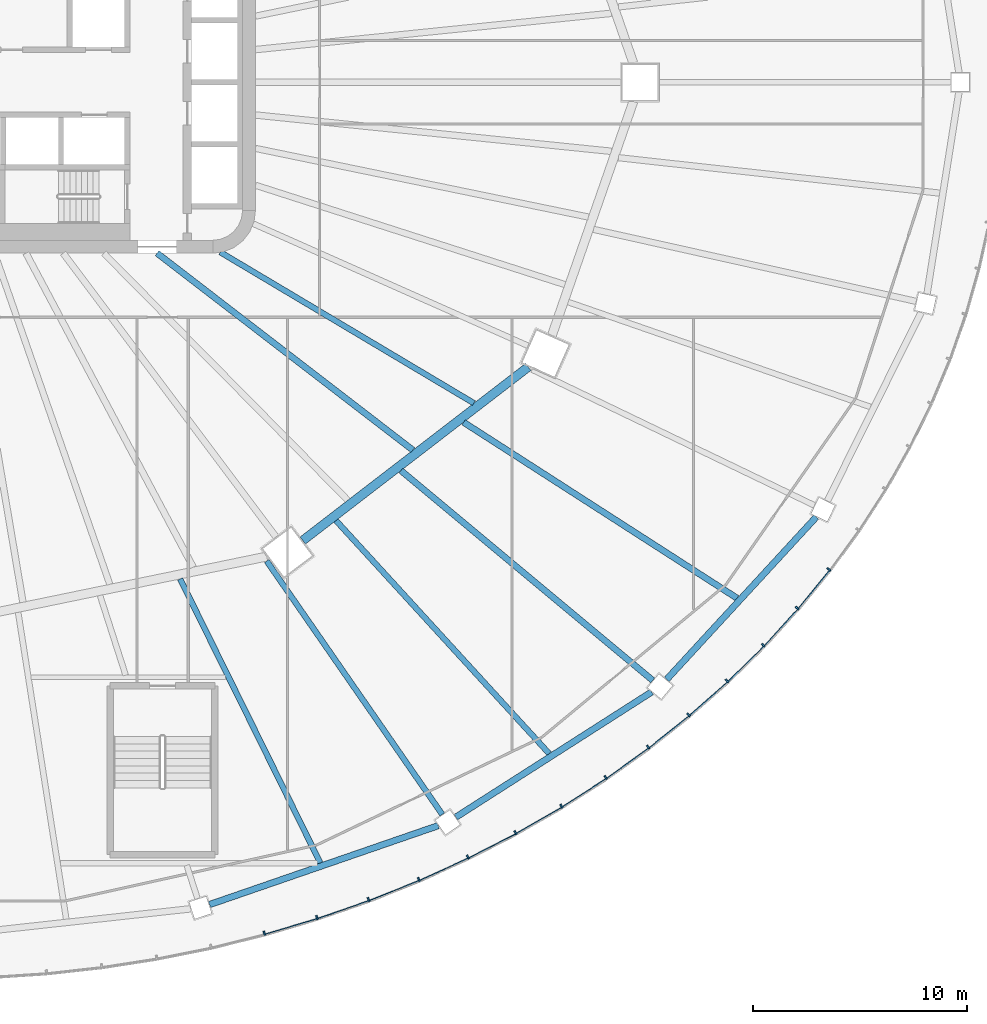
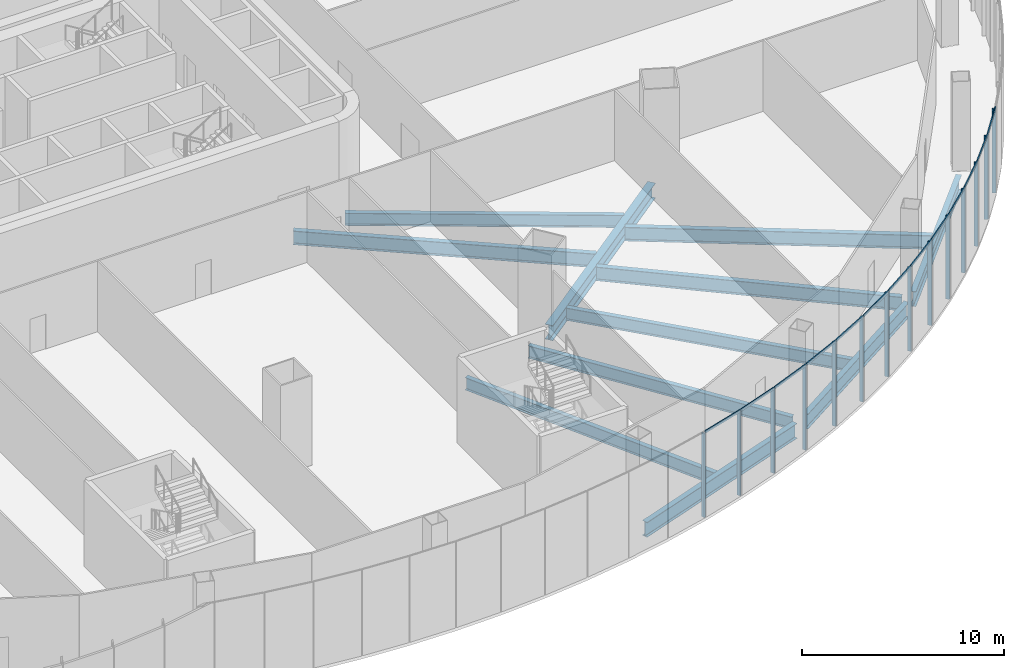
# One storey, part 9 of 42: 27 members, 11 beams, 3 elements without a shape of their own.
"""IFC4 building model written with IfcOpenShell, lengths in metres."""

from ifc_helpers import new_model, si_unit, direction, frame, origin, origin_2d, place, context, subcontext, project, spatial, rectangle, i_section, extrude, material, layer, layer_set, material_profile, profile_set, type_object, element, aggregate, save


model = new_model("IFC4")

# Units and contexts
model_context = context("Model", 3, precision=1e-05, world=origin(), true_north=direction((0.0, 1.0)))
body_context = subcontext(model_context, "Body", "Model", "MODEL_VIEW")
ifc_project = project(units=[si_unit("LENGTHUNIT", "METRE"), si_unit("AREAUNIT", "SQUARE_METRE"), si_unit("VOLUMEUNIT", "CUBIC_METRE"), si_unit("PLANEANGLEUNIT", "RADIAN"), si_unit("MASSUNIT", "GRAM", prefix="KILO")], contexts=[model_context])

# Site, building, storey
site_placement = place(None, origin())
site = spatial("IfcSite", under=ifc_project, at=site_placement, CompositionType="ELEMENT")
building_placement = place(site_placement, origin())
building = spatial("IfcBuilding", under=site, at=building_placement, Name="Sahrelin Media Tower", CompositionType="ELEMENT")
storey_placement = place(building_placement, frame((0.0, 0.0, 26.0)))
storey = spatial("IfcBuildingStorey", under=building, at=storey_placement, Name="L03", CompositionType="ELEMENT", Elevation=26.0)

# Curtain wall, members
ifc_material_1 = material(Name="Champagne anodised aluminium 6063-T6", Category="aluminium")
ifc_layer = layer(ifc_material_1, 0.14990234375)
ifc_layer_set = layer_set([ifc_layer], Name="Podium ribbon curtain wall")
curtain_wall_type = type_object("IfcCurtainWallType", Name="Podium ribbon curtain wall", PredefinedType="NOTDEFINED", material=ifc_layer_set)
curtain_wall_1_placement = place(storey_placement, frame((12.94091796875, -40.56884765625, 0.0), z_axis=(0.0, 0.0, 1.0), x_axis=(1.0, 0.0, 0.0)))
curtain_wall_1 = element("IfcCurtainWall", 1, at=curtain_wall_1_placement, inside=storey, type_object=curtain_wall_type, Name="L03:CW:L03-P19", PredefinedType="NOTDEFINED")
ifc_material_profile_1 = material_profile(ifc_material_1, rectangle(XDim=0.080078125, YDim=0.199951171875, at=origin_2d()), Name="Mullion 80x200")
ifc_profile_set_1 = profile_set([ifc_material_profile_1], Name="Champagne anodised aluminium 6063-T6")
member_type_1 = type_object("IfcMemberType", Name="Mullion 80x200 CW5", PredefinedType="MULLION", material=ifc_profile_set_1)
member_1_placement = place(storey_placement, frame((15.41650390625, -39.829345703125, 0.0), z_axis=(0.0, 0.0, 1.0), x_axis=(0.958494922328, 0.285109599754, 0.0)))
member_1 = element("IfcMember", 2, at=member_1_placement, type_object=member_type_1, Name="L03:CWM2:L03-P19", PredefinedType="MULLION", context=body_context, shape_type="SweptSolid", body=[
    extrude(rectangle(XDim=0.080078125, YDim=0.199951171875, at=origin_2d()), origin(), (0.0, 0.0, 1.0), 5.050048828125),
])
member_2_placement = place(storey_placement, frame((17.87890625, -39.09716796875, 0.0), z_axis=(0.0, 0.0, 1.0), x_axis=(0.944458420046, 0.328630937077, 0.0)))
member_2 = element("IfcMember", 3, at=member_2_placement, type_object=member_type_1, Name="L03:CWM3:L03-P19", PredefinedType="MULLION", context=body_context, shape_type="SweptSolid", body=[
    extrude(rectangle(XDim=0.080078125, YDim=0.199951171875, at=origin_2d()), origin(), (0.0, 0.0, 1.0), 5.050048828125),
])
member_3_placement = place(storey_placement, frame((20.292236328125, -38.257568359375, 0.0), z_axis=(0.0, 0.0, 1.0), x_axis=(0.928270482181, 0.371905783648, 0.0)))
member_3 = element("IfcMember", 4, at=member_3_placement, type_object=member_type_1, Name="L03:CWM4:L03-P19", PredefinedType="MULLION", context=body_context, shape_type="SweptSolid", body=[
    extrude(rectangle(XDim=0.080078125, YDim=0.199951171875, at=origin_2d()), origin(), (0.0, 0.0, 1.0), 5.050048828125),
])
member_4_placement = place(storey_placement, frame((22.649658203125, -37.31298828125, 0.0), z_axis=(0.0, 0.0, 1.0), x_axis=(0.909841810065, 0.414955275491, 0.0)))
member_4 = element("IfcMember", 5, at=member_4_placement, type_object=member_type_1, Name="L03:CWM5:L03-P19", PredefinedType="MULLION", context=body_context, shape_type="SweptSolid", body=[
    extrude(rectangle(XDim=0.080078125, YDim=0.199951171875, at=origin_2d()), origin(), (0.0, 0.0, 1.0), 5.050048828125),
])

curtain_wall_2_placement = place(storey_placement, frame((25.0, -36.373046875, 0.0), z_axis=(0.0, 0.0, 1.0), x_axis=(1.0, 0.0, 0.0)))
curtain_wall_2 = element("IfcCurtainWall", 6, at=curtain_wall_2_placement, inside=storey, type_object=curtain_wall_type, Name="L03:CW:L03-P20", PredefinedType="NOTDEFINED")
member_5_placement = place(storey_placement, frame((24.945068359375, -36.266357421875, 0.0), z_axis=(0.0, 0.0, 1.0), x_axis=(0.889123403251, 0.457667536309, 0.0)))
member_5 = element("IfcMember", 7, at=member_5_placement, type_object=member_type_1, Name="L03:CWM1:L03-P20", PredefinedType="MULLION", context=body_context, shape_type="SweptSolid", body=[
    extrude(rectangle(XDim=0.080078125, YDim=0.199951171875, at=origin_2d()), origin(), (0.0, 0.0, 1.0), 5.050048828125),
])
member_6_placement = place(storey_placement, frame((27.172119140625, -35.120361328125, 0.0), z_axis=(0.0, 0.0, 1.0), x_axis=(0.866028894422, 0.49999395399, 0.0)))
member_6 = element("IfcMember", 8, at=member_6_placement, type_object=member_type_1, Name="L03:CWM2:L03-P20", PredefinedType="MULLION", context=body_context, shape_type="SweptSolid", body=[
    extrude(rectangle(XDim=0.080078125, YDim=0.199951171875, at=origin_2d()), origin(), (0.0, 0.0, 1.0), 5.050048828125),
])
member_7_placement = place(storey_placement, frame((29.32421875, -33.877685546875, 0.0), z_axis=(0.0, 0.0, 1.0), x_axis=(0.840519327336, 0.541781561494, 0.0)))
member_7 = element("IfcMember", 9, at=member_7_placement, type_object=member_type_1, Name="L03:CWM3:L03-P20", PredefinedType="MULLION", context=body_context, shape_type="SweptSolid", body=[
    extrude(rectangle(XDim=0.080078125, YDim=0.199951171875, at=origin_2d()), origin(), (0.0, 0.0, 1.0), 5.050048828125),
])
member_8_placement = place(storey_placement, frame((31.39599609375, -32.54248046875, 0.0), z_axis=(0.0, 0.0, 1.0), x_axis=(0.812532432251, 0.582915985834, 0.0)))
member_8 = element("IfcMember", 10, at=member_8_placement, type_object=member_type_1, Name="L03:CWM4:L03-P20", PredefinedType="MULLION", context=body_context, shape_type="SweptSolid", body=[
    extrude(rectangle(XDim=0.080078125, YDim=0.199951171875, at=origin_2d()), origin(), (0.0, 0.0, 1.0), 5.050048828125),
])
member_9_placement = place(storey_placement, frame((33.381591796875, -31.118408203125, 0.0), z_axis=(0.0, 0.0, 1.0), x_axis=(0.781960183728, 0.623328381405, 0.0)))
member_9 = element("IfcMember", 11, at=member_9_placement, type_object=member_type_1, Name="L03:CWM5:L03-P20", PredefinedType="MULLION", context=body_context, shape_type="SweptSolid", body=[
    extrude(rectangle(XDim=0.080078125, YDim=0.199951171875, at=origin_2d()), origin(), (0.0, 0.0, 1.0), 5.050048828125),
])

curtain_wall_3_placement = place(storey_placement, frame((35.355224609375, -29.698486328125, 0.0), z_axis=(0.0, 0.0, 1.0), x_axis=(1.0, 0.0, 0.0)))
curtain_wall_3 = element("IfcCurtainWall", 12, at=curtain_wall_3_placement, inside=storey, type_object=curtain_wall_type, Name="L03:CW:L03-P21", PredefinedType="NOTDEFINED")
member_10_placement = place(storey_placement, frame((35.27587890625, -29.608642578125, 0.0), z_axis=(0.0, 0.0, 1.0), x_axis=(0.748788005735, 0.662809567272, 0.0)))
member_10 = element("IfcMember", 13, at=member_10_placement, type_object=member_type_1, Name="L03:CWM1:L03-P21", PredefinedType="MULLION", context=body_context, shape_type="SweptSolid", body=[
    extrude(rectangle(XDim=0.080078125, YDim=0.199951171875, at=origin_2d()), origin(), (0.0, 0.0, 1.0), 5.050048828125),
])
member_11_placement = place(storey_placement, frame((37.072998046875, -28.017822265625, 0.0), z_axis=(0.0, 0.0, 1.0), x_axis=(0.712973923933, 0.70119054742, 0.0)))
member_11 = element("IfcMember", 14, at=member_11_placement, type_object=member_type_1, Name="L03:CWM2:L03-P21", PredefinedType="MULLION", context=body_context, shape_type="SweptSolid", body=[
    extrude(rectangle(XDim=0.080078125, YDim=0.199951171875, at=origin_2d()), origin(), (0.0, 0.0, 1.0), 5.050048828125),
])
member_12_placement = place(storey_placement, frame((38.768798828125, -26.3505859375, 0.0), z_axis=(0.0, 0.0, 1.0), x_axis=(0.67442997344, 0.738338818514, 0.0)))
member_12 = element("IfcMember", 15, at=member_12_placement, type_object=member_type_1, Name="L03:CWM3:L03-P21", PredefinedType="MULLION", context=body_context, shape_type="SweptSolid", body=[
    extrude(rectangle(XDim=0.080078125, YDim=0.199951171875, at=origin_2d()), origin(), (0.0, 0.0, 1.0), 5.050048828125),
])
member_13_placement = place(storey_placement, frame((40.35791015625, -24.611083984375, 0.0), z_axis=(0.0, 0.0, 1.0), x_axis=(0.633234995933, 0.77395958546, 0.0)))
member_13 = element("IfcMember", 16, at=member_13_placement, type_object=member_type_1, Name="L03:CWM4:L03-P21", PredefinedType="MULLION", context=body_context, shape_type="SweptSolid", body=[
    extrude(rectangle(XDim=0.080078125, YDim=0.199951171875, at=origin_2d()), origin(), (0.0, 0.0, 1.0), 5.050048828125),
])
member_14_placement = place(storey_placement, frame((41.836669921875, -22.80419921875, 0.0), z_axis=(0.0, 0.0, 1.0), x_axis=(0.589385309161, 0.807852064022, 0.0)))
member_14 = element("IfcMember", 17, at=member_14_placement, type_object=member_type_1, Name="L03:CWM5:L03-P21", PredefinedType="MULLION", context=body_context, shape_type="SweptSolid", body=[
    extrude(rectangle(XDim=0.080078125, YDim=0.199951171875, at=origin_2d()), origin(), (0.0, 0.0, 1.0), 5.050048828125),
])

# Beams
ifc_material_2 = material(Name="Steel S355", Category="steel")
ifc_material_profile_2 = material_profile(ifc_material_2, i_section(OverallWidth=0.30322265625, OverallDepth=0.903076171875, WebThickness=0.01513671875, FlangeThickness=0.020263671875, FilletRadius=0.01904296875, at=origin_2d()), Name="UB 914x305x201")
ifc_profile_set_2 = profile_set([ifc_material_profile_2], Name="Steel S355")
beam_type_1 = type_object("IfcBeamType", Name="Podium edge girder PE11", PredefinedType="BEAM", material=ifc_profile_set_2)
beam_1_placement = place(storey_placement, frame((12.848876953125, -38.489990234375, -0.651611328125), z_axis=(0.94527240249, 0.32628221694, 0.0), x_axis=(-0.32628221694, 0.94527240249, 0.0)))
element("IfcBeam", 18, at=beam_1_placement, inside=storey, type_object=beam_type_1, Name="Podium edge girder L03-20", PredefinedType="BEAM", context=body_context, shape_type="SweptSolid", body=[
    extrude(i_section(OverallWidth=0.30322265625, OverallDepth=0.903076171875, WebThickness=0.01513671875, FlangeThickness=0.020263671875, FilletRadius=0.01904296875, at=origin_2d()), origin(), (0.0, 0.0, 1.0), 11.329345703125),
])
beam_2_placement = place(storey_placement, frame((24.37939453125, -34.3984375, -0.651611328125), z_axis=(0.842485743715, 0.538718638657, 0.0), x_axis=(-0.538718638657, 0.842485743715, 0.0)))
element("IfcBeam", 19, at=beam_2_placement, inside=storey, type_object=beam_type_1, Name="Podium edge girder L03-21", PredefinedType="BEAM", context=body_context, shape_type="SweptSolid", body=[
    extrude(i_section(OverallWidth=0.30322265625, OverallDepth=0.903076171875, WebThickness=0.01513671875, FlangeThickness=0.020263671875, FilletRadius=0.01904296875, at=origin_2d()), origin(), (0.0, 0.0, 1.0), 10.87744140625),
])
beam_3_placement = place(storey_placement, frame((34.246337890625, -27.952880859375, -0.651611328125), z_axis=(0.677370529771, 0.735642008995, 0.0), x_axis=(-0.735642008995, 0.677370529771, 0.0)))
element("IfcBeam", 20, at=beam_3_placement, inside=storey, type_object=beam_type_1, Name="Podium edge girder L03-22", PredefinedType="BEAM", context=body_context, shape_type="SweptSolid", body=[
    extrude(i_section(OverallWidth=0.30322265625, OverallDepth=0.903076171875, WebThickness=0.01513671875, FlangeThickness=0.020263671875, FilletRadius=0.01904296875, at=origin_2d()), origin(), (0.0, 0.0, 1.0), 10.340087890625),
])
ifc_material_profile_3 = material_profile(ifc_material_2, i_section(OverallWidth=0.41845703125, OverallDepth=0.911865234375, WebThickness=0.019287109375, FlangeThickness=0.031982421875, FilletRadius=0.024169921875, at=origin_2d()), Name="UB 914x419x343")
ifc_profile_set_3 = profile_set([ifc_material_profile_3], Name="Steel S355")
beam_type_2 = type_object("IfcBeamType", Name="Podium ring girder PG12", PredefinedType="BEAM", material=ifc_profile_set_3)
beam_4_placement = place(storey_placement, frame((17.21337890625, -21.447998046875, -0.656005859375), z_axis=(0.792445416108, 0.609942835428, 0.0), x_axis=(-0.609942835428, 0.792445416108, 0.0)))
element("IfcBeam", 21, at=beam_4_placement, inside=storey, type_object=beam_type_2, Name="Podium girder L03-11", PredefinedType="BEAM", context=body_context, shape_type="SweptSolid", body=[
    extrude(i_section(OverallWidth=0.41845703125, OverallDepth=0.911865234375, WebThickness=0.019287109375, FlangeThickness=0.031982421875, FilletRadius=0.024169921875, at=origin_2d()), origin(), (0.0, 0.0, 1.0), 13.318603515625),
])
ifc_material_profile_4 = material_profile(ifc_material_2, i_section(OverallWidth=0.291748046875, OverallDepth=0.8349609375, WebThickness=0.013916015625, FlangeThickness=0.018798828125, FilletRadius=0.017822265625, at=origin_2d()), Name="UB 838x292x176")
ifc_profile_set_4 = profile_set([ifc_material_profile_4], Name="Steel S355")
beam_type_3 = type_object("IfcBeamType", Name="Radial primary beam PB10", PredefinedType="BEAM", material=ifc_profile_set_4)
beam_5_placement = place(storey_placement, frame((10.393798828125, -8.0, -0.617431640625), z_axis=(0.79244196099, -0.609947324335, 0.0), x_axis=(0.609947324335, 0.79244196099, 0.0)))
element("IfcBeam", 22, at=beam_5_placement, inside=storey, type_object=beam_type_3, Name="Radial beam L03-22", PredefinedType="BEAM", context=body_context, shape_type="SweptSolid", body=[
    extrude(i_section(OverallWidth=0.291748046875, OverallDepth=0.8349609375, WebThickness=0.013916015625, FlangeThickness=0.018798828125, FilletRadius=0.017822265625, at=origin_2d()), origin(), (0.0, 0.0, 1.0), 15.1103515625),
])
beam_6_placement = place(storey_placement, frame((21.809326171875, -18.174560546875, -0.617431640625), z_axis=(0.768229105739, -0.640175008178, 0.0), x_axis=(0.640175008178, 0.768229105739, 0.0)))
element("IfcBeam", 23, at=beam_6_placement, inside=storey, type_object=beam_type_3, Name="Radial beam L03-26", PredefinedType="BEAM", context=body_context, shape_type="SweptSolid", body=[
    extrude(i_section(OverallWidth=0.291748046875, OverallDepth=0.8349609375, WebThickness=0.013916015625, FlangeThickness=0.018798828125, FilletRadius=0.017822265625, at=origin_2d()), origin(), (0.0, 0.0, 1.0), 15.342041015625),
])
ifc_material_profile_5 = material_profile(ifc_material_2, i_section(OverallWidth=0.26513671875, OverallDepth=0.75390625, WebThickness=0.0126953125, FlangeThickness=0.017578125, FilletRadius=0.0166015625, at=origin_2d()), Name="UB 762x267x147")
ifc_profile_set_5 = profile_set([ifc_material_profile_5], Name="Steel S355")
beam_type_4 = type_object("IfcBeamType", Name="Radial primary beam PB9", PredefinedType="BEAM", material=ifc_profile_set_5)
beam_7_placement = place(storey_placement, frame((15.527099609375, -22.411376953125, -0.576904296875), z_axis=(0.569493278726, -0.821995988729, 0.0), x_axis=(0.821995988729, 0.569493278726, 0.0)))
element("IfcBeam", 24, at=beam_7_placement, inside=storey, type_object=beam_type_4, Name="Radial beam L03-25", PredefinedType="BEAM", context=body_context, shape_type="SweptSolid", body=[
    extrude(i_section(OverallWidth=0.26513671875, OverallDepth=0.75390625, WebThickness=0.0126953125, FlangeThickness=0.017578125, FilletRadius=0.0166015625, at=origin_2d()), origin(), (0.0, 0.0, 1.0), 14.427734375),
])
ifc_material_profile_6 = material_profile(ifc_material_2, i_section(OverallWidth=0.291748046875, OverallDepth=0.8349609375, WebThickness=0.013916015625, FlangeThickness=0.018798828125, FilletRadius=0.017822265625, at=origin_2d()), Name="UB 838x292x176")
ifc_profile_set_6 = profile_set([ifc_material_profile_6], Name="Steel S355")
beam_type_5 = type_object("IfcBeamType", Name="Radial secondary beam SB10", PredefinedType="BEAM", material=ifc_profile_set_6)
beam_8_placement = place(storey_placement, frame((24.744140625, -15.91552734375, -0.617431640625), z_axis=(0.84104292767, -0.540968385228, 0.0), x_axis=(0.540968385228, 0.84104292767, 0.0)))
element("IfcBeam", 25, at=beam_8_placement, inside=storey, type_object=beam_type_5, Name="Secondary beam L03-22", PredefinedType="BEAM", context=body_context, shape_type="SweptSolid", body=[
    extrude(i_section(OverallWidth=0.291748046875, OverallDepth=0.8349609375, WebThickness=0.013916015625, FlangeThickness=0.018798828125, FilletRadius=0.017822265625, at=origin_2d()), origin(), (0.0, 0.0, 1.0), 15.218505859375),
])
ifc_material_profile_7 = material_profile(ifc_material_2, i_section(OverallWidth=0.26513671875, OverallDepth=0.75390625, WebThickness=0.0126953125, FlangeThickness=0.017578125, FilletRadius=0.0166015625, at=origin_2d()), Name="UB 762x267x147")
ifc_profile_set_7 = profile_set([ifc_material_profile_7], Name="Steel S355")
beam_type_6 = type_object("IfcBeamType", Name="Radial secondary beam SB9", PredefinedType="BEAM", material=ifc_profile_set_7)
beam_9_placement = place(storey_placement, frame((13.356201171875, -7.953125, -0.576904296875), z_axis=(0.859199265621, -0.511641106594, 0.0), x_axis=(0.511641106594, 0.859199265621, 0.0)))
element("IfcBeam", 26, at=beam_9_placement, inside=storey, type_object=beam_type_6, Name="Secondary beam L03-22", PredefinedType="BEAM", context=body_context, shape_type="SweptSolid", body=[
    extrude(i_section(OverallWidth=0.26513671875, OverallDepth=0.75390625, WebThickness=0.0126953125, FlangeThickness=0.017578125, FilletRadius=0.0166015625, at=origin_2d()), origin(), (0.0, 0.0, 1.0), 13.810791015625),
])
beam_10_placement = place(storey_placement, frame((11.47412109375, -23.247314453125, -0.576904296875), z_axis=(0.442602611298, -0.896717864477, 0.0), x_axis=(0.896717864477, 0.442602611298, 0.0)))
element("IfcBeam", 27, at=beam_10_placement, inside=storey, type_object=beam_type_6, Name="Secondary beam L03-20", PredefinedType="BEAM", context=body_context, shape_type="SweptSolid", body=[
    extrude(i_section(OverallWidth=0.26513671875, OverallDepth=0.75390625, WebThickness=0.0126953125, FlangeThickness=0.017578125, FilletRadius=0.0166015625, at=origin_2d()), origin(), (0.0, 0.0, 1.0), 14.8232421875),
])
beam_11_placement = place(storey_placement, frame((18.7685546875, -20.514892578125, -0.576904296875), z_axis=(0.675004282666, -0.737813810106, 0.0), x_axis=(0.737813810106, 0.675004282666, 0.0)))
element("IfcBeam", 28, at=beam_11_placement, inside=storey, type_object=beam_type_6, Name="Secondary beam L03-21", PredefinedType="BEAM", context=body_context, shape_type="SweptSolid", body=[
    extrude(i_section(OverallWidth=0.26513671875, OverallDepth=0.75390625, WebThickness=0.0126953125, FlangeThickness=0.017578125, FilletRadius=0.0166015625, at=origin_2d()), origin(), (0.0, 0.0, 1.0), 14.7861328125),
])

# Member
ifc_material_profile_8 = material_profile(ifc_material_1, rectangle(XDim=0.06005859375, YDim=0.14990234375, at=origin_2d()), Name="Transom 60x150")
ifc_profile_set_8 = profile_set([ifc_material_profile_8], Name="Champagne anodised aluminium 6063-T6")
member_type_2 = type_object("IfcMemberType", Name="Transom 60x150 CW5", PredefinedType="USERDEFINED", material=ifc_profile_set_8)
member_15_placement = place(storey_placement, frame((15.484619140625, -39.882080078125, 5.125), z_axis=(0.958515646139, 0.285039920199, 0.0), x_axis=(-0.285039920199, 0.958515646139, 0.0)))
member_15 = element("IfcMember", 29, at=member_15_placement, type_object=member_type_2, Name="L03:CWT2a:L03-P19", ObjectType="TRANSOM", PredefinedType="USERDEFINED", context=body_context, shape_type="SweptSolid", body=[
    extrude(rectangle(XDim=0.06005859375, YDim=0.14990234375, at=origin_2d()), origin(), (0.0, 0.0, 1.0), 2.524169921875),
])

member_16_placement = place(storey_placement, frame((17.94921875, -39.146728515625, 5.125), z_axis=(0.944469242615, 0.328599832248, 0.0), x_axis=(-0.328599832248, 0.944469242615, 0.0)))
member_16 = element("IfcMember", 30, at=member_16_placement, type_object=member_type_2, Name="L03:CWT3a:L03-P19", ObjectType="TRANSOM", PredefinedType="USERDEFINED", context=body_context, shape_type="SweptSolid", body=[
    extrude(rectangle(XDim=0.06005859375, YDim=0.14990234375, at=origin_2d()), origin(), (0.0, 0.0, 1.0), 2.510498046875),
])

member_17_placement = place(storey_placement, frame((20.364501953125, -38.303955078125, 5.125), z_axis=(0.928280887293, 0.371879811615, 0.0), x_axis=(-0.371879811615, 0.928280887293, 0.0)))
member_17 = element("IfcMember", 31, at=member_17_placement, type_object=member_type_2, Name="L03:CWT4a:L03-P19", ObjectType="TRANSOM", PredefinedType="USERDEFINED", context=body_context, shape_type="SweptSolid", body=[
    extrude(rectangle(XDim=0.06005859375, YDim=0.14990234375, at=origin_2d()), origin(), (0.0, 0.0, 1.0), 2.495361328125),
])

member_18_placement = place(storey_placement, frame((22.72412109375, -37.356201171875, 5.125), z_axis=(0.909832749786, 0.414975140722, 0.0), x_axis=(-0.414975140722, 0.909832749786, 0.0)))
member_18 = element("IfcMember", 32, at=member_18_placement, type_object=member_type_2, Name="L03:CWT5a:L03-P19", ObjectType="TRANSOM", PredefinedType="USERDEFINED", context=body_context, shape_type="SweptSolid", body=[
    extrude(rectangle(XDim=0.06005859375, YDim=0.14990234375, at=origin_2d()), origin(), (0.0, 0.0, 1.0), 2.478515625),
])

aggregate(curtain_wall_1, [member_1, member_15, member_2, member_16, member_3, member_17, member_4, member_18])

member_19_placement = place(storey_placement, frame((25.021484375, -36.305908203125, 5.125), z_axis=(0.88908592798, 0.457740333233, 0.0), x_axis=(-0.457740333233, 0.88908592798, 0.0)))
member_19 = element("IfcMember", 33, at=member_19_placement, type_object=member_type_2, Name="L03:CWT1a:L03-P20", ObjectType="TRANSOM", PredefinedType="USERDEFINED", context=body_context, shape_type="SweptSolid", body=[
    extrude(rectangle(XDim=0.06005859375, YDim=0.14990234375, at=origin_2d()), origin(), (0.0, 0.0, 1.0), 2.46044921875),
])

member_20_placement = place(storey_placement, frame((27.250244140625, -35.156005859375, 5.125), z_axis=(0.86599404773, 0.500054306346, 0.0), x_axis=(-0.500054306346, 0.86599404773, 0.0)))
member_20 = element("IfcMember", 34, at=member_20_placement, type_object=member_type_2, Name="L03:CWT2a:L03-P20", ObjectType="TRANSOM", PredefinedType="USERDEFINED", context=body_context, shape_type="SweptSolid", body=[
    extrude(rectangle(XDim=0.06005859375, YDim=0.14990234375, at=origin_2d()), origin(), (0.0, 0.0, 1.0), 2.441162109375),
])

member_21_placement = place(storey_placement, frame((29.404296875, -33.90966796875, 5.125), z_axis=(0.840515923585, 0.541786842033, 0.0), x_axis=(-0.541786842033, 0.840515923585, 0.0)))
member_21 = element("IfcMember", 35, at=member_21_placement, type_object=member_type_2, Name="L03:CWT3a:L03-P20", ObjectType="TRANSOM", PredefinedType="USERDEFINED", context=body_context, shape_type="SweptSolid", body=[
    extrude(rectangle(XDim=0.06005859375, YDim=0.14990234375, at=origin_2d()), origin(), (0.0, 0.0, 1.0), 2.420654296875),
])

member_22_placement = place(storey_placement, frame((31.4775390625, -32.5703125, 5.125), z_axis=(0.812528823306, 0.582921016345, 0.0), x_axis=(-0.582921016345, 0.812528823306, 0.0)))
member_22 = element("IfcMember", 36, at=member_22_placement, type_object=member_type_2, Name="L03:CWT4a:L03-P20", ObjectType="TRANSOM", PredefinedType="USERDEFINED", context=body_context, shape_type="SweptSolid", body=[
    extrude(rectangle(XDim=0.06005859375, YDim=0.14990234375, at=origin_2d()), origin(), (0.0, 0.0, 1.0), 2.39990234375),
])

member_23_placement = place(storey_placement, frame((33.46435546875, -31.141845703125, 5.125), z_axis=(0.781989191913, 0.623291989144, 0.0), x_axis=(-0.623291989144, 0.781989191913, 0.0)))
member_23 = element("IfcMember", 37, at=member_23_placement, type_object=member_type_2, Name="L03:CWT5a:L03-P20", ObjectType="TRANSOM", PredefinedType="USERDEFINED", context=body_context, shape_type="SweptSolid", body=[
    extrude(rectangle(XDim=0.06005859375, YDim=0.14990234375, at=origin_2d()), origin(), (0.0, 0.0, 1.0), 2.37841796875),
])

aggregate(curtain_wall_2, [member_5, member_19, member_6, member_20, member_7, member_21, member_8, member_22, member_9, member_23])

member_24_placement = place(storey_placement, frame((35.359619140625, -29.6279296875, 5.125), z_axis=(0.74879678706, 0.662799646717, 0.0), x_axis=(-0.662799646717, 0.74879678706, 0.0)))
member_24 = element("IfcMember", 38, at=member_24_placement, type_object=member_type_2, Name="L03:CWT1a:L03-P21", ObjectType="TRANSOM", PredefinedType="USERDEFINED", context=body_context, shape_type="SweptSolid", body=[
    extrude(rectangle(XDim=0.06005859375, YDim=0.14990234375, at=origin_2d()), origin(), (0.0, 0.0, 1.0), 2.356201171875),
])

member_25_placement = place(storey_placement, frame((37.15771484375, -28.03271484375, 5.125), z_axis=(0.713042850278, 0.70112045589, 0.0), x_axis=(-0.70112045589, 0.713042850278, 0.0)))
member_25 = element("IfcMember", 39, at=member_25_placement, type_object=member_type_2, Name="L03:CWT2a:L03-P21", ObjectType="TRANSOM", PredefinedType="USERDEFINED", context=body_context, shape_type="SweptSolid", body=[
    extrude(rectangle(XDim=0.06005859375, YDim=0.14990234375, at=origin_2d()), origin(), (0.0, 0.0, 1.0), 2.33447265625),
])

member_26_placement = place(storey_placement, frame((38.85400390625, -26.36083984375, 5.125), z_axis=(0.674452068042, 0.738318635762, 0.0), x_axis=(-0.738318635762, 0.674452068042, 0.0)))
member_26 = element("IfcMember", 40, at=member_26_placement, type_object=member_type_2, Name="L03:CWT3a:L03-P21", ObjectType="TRANSOM", PredefinedType="USERDEFINED", context=body_context, shape_type="SweptSolid", body=[
    extrude(rectangle(XDim=0.06005859375, YDim=0.14990234375, at=origin_2d()), origin(), (0.0, 0.0, 1.0), 2.312744140625),
])

member_27_placement = place(storey_placement, frame((40.44384765625, -24.61669921875, 5.125), z_axis=(0.633168167393, 0.774014258137, 0.0), x_axis=(-0.774014258137, 0.633168167393, 0.0)))
member_27 = element("IfcMember", 41, at=member_27_placement, type_object=member_type_2, Name="L03:CWT4a:L03-P21", ObjectType="TRANSOM", PredefinedType="USERDEFINED", context=body_context, shape_type="SweptSolid", body=[
    extrude(rectangle(XDim=0.06005859375, YDim=0.14990234375, at=origin_2d()), origin(), (0.0, 0.0, 1.0), 2.29150390625),
])

aggregate(curtain_wall_3, [member_10, member_24, member_11, member_25, member_12, member_26, member_13, member_27, member_14])

save(model, "model.ifc")
